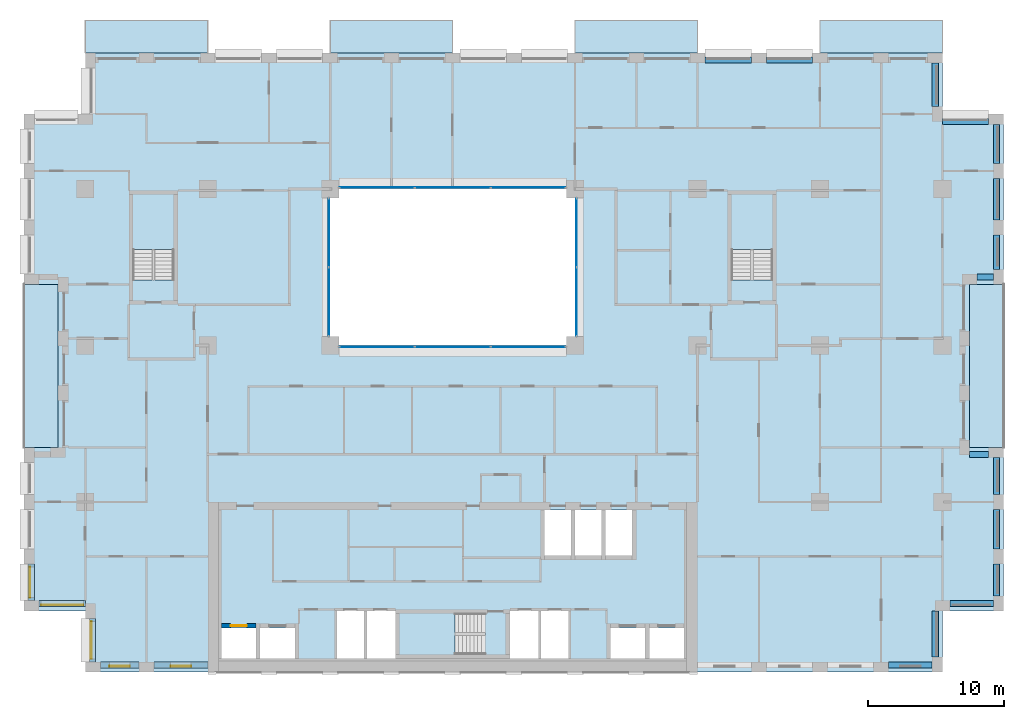
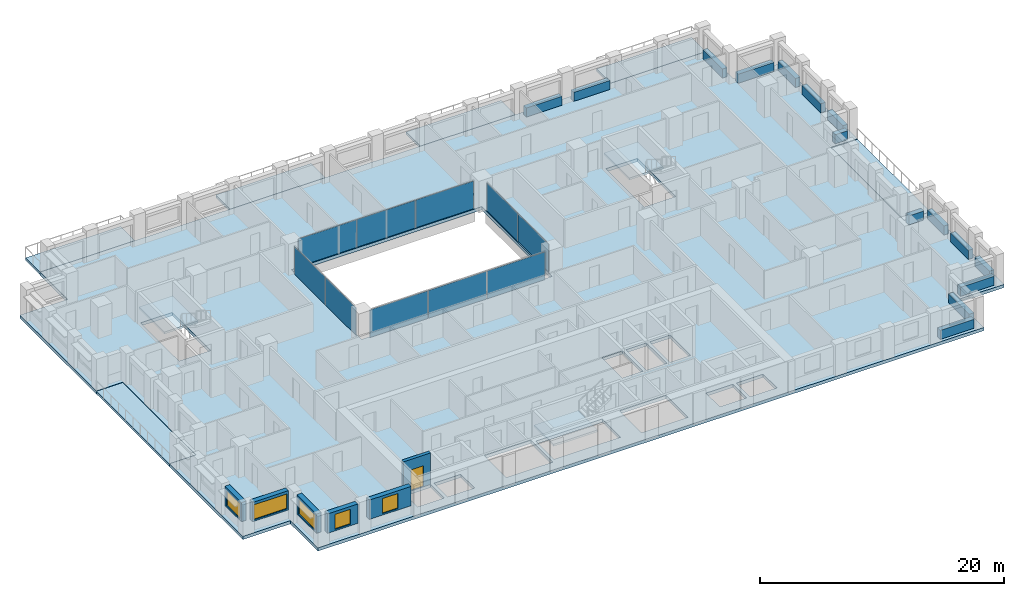
# One storey, part 7 of 16: 15 beams, 10 plates, 10 slabs, 6 walls, 5 windows, 1 door, 6 openings, 7 elements without a shape of their own.
"""IFC4 building model written with IfcOpenShell, lengths in metres."""

from ifc_helpers import new_model, si_unit, direction, frame, frame_2d, origin, origin_2d, place, context, subcontext, project, spatial, polyline, rectangle, outline, extrude, material, layer, layer_set, material_profile, profile_set, type_object, element, fill, aggregate, save


model = new_model("IFC4")

# Units and contexts
model_context = context("Model", 3, precision=1e-05, world=origin(), true_north=direction((0.0, 1.0)))
body_context = subcontext(model_context, "Body", "Model", "MODEL_VIEW")
ifc_project = project(units=[si_unit("LENGTHUNIT", "METRE"), si_unit("AREAUNIT", "SQUARE_METRE"), si_unit("VOLUMEUNIT", "CUBIC_METRE"), si_unit("PLANEANGLEUNIT", "RADIAN"), si_unit("MASSUNIT", "GRAM", prefix="KILO")], contexts=[model_context])

# Site, building, storey
site_placement = place(None, origin())
site = spatial("IfcSite", under=ifc_project, at=site_placement, CompositionType="ELEMENT")
building_placement = place(site_placement, origin())
building = spatial("IfcBuilding", under=site, at=building_placement, Name="Brigalow Station Residences", CompositionType="ELEMENT")
storey_placement = place(building_placement, frame((0.0, 0.0, 121.35009765625)))
storey = spatial("IfcBuildingStorey", under=building, at=storey_placement, Name="L35", CompositionType="ELEMENT", Elevation=121.35009765625)

# Beams
ifc_material_1 = material(Name="Concrete C65", Category="concrete")
ifc_material_profile = material_profile(ifc_material_1, rectangle(XDim=0.449951171875, YDim=0.89990234375, at=origin_2d()), Name="RC450x900")
ifc_profile_set = profile_set([ifc_material_profile], Name="Concrete C65")
beam_type = type_object("IfcBeamType", Name="SPANDREL BEAM 450x900 C65", PredefinedType="SPANDREL", material=ifc_profile_set)
beam_1_placement = place(storey_placement, frame((68.050048828125, 0.52490234375, 0.449951171875), z_axis=(1.0, 0.0, 0.0), x_axis=(0.0, 1.0, 0.0)))
element("IfcBeam", 1, at=beam_1_placement, inside=storey, type_object=beam_type, Name="L35/spandrel/W-L35-7", PredefinedType="SPANDREL", context=body_context, shape_type="SweptSolid", body=[
    extrude(rectangle(XDim=0.449951171875, YDim=0.89990234375, at=origin_2d()), origin(), (0.0, 0.0, 1.0), 3.199951171875),
])
beam_2_placement = place(storey_placement, frame((71.47509765625, 1.10009765625, 0.449951171875), z_axis=(0.0, 1.0, 0.0), x_axis=(-1.0, 0.0, 0.0)))
element("IfcBeam", 2, at=beam_2_placement, inside=storey, type_object=beam_type, Name="L35/spandrel/W-L35-8", PredefinedType="SPANDREL", context=body_context, shape_type="SweptSolid", body=[
    extrude(rectangle(XDim=0.449951171875, YDim=0.89990234375, at=origin_2d()), origin(), (0.0, 0.0, 1.0), 3.39990234375),
])
beam_3_placement = place(storey_placement, frame((72.550048828125, 5.02490234375, 0.449951171875), z_axis=(1.0, 0.0, 0.0), x_axis=(0.0, 1.0, 0.0)))
element("IfcBeam", 3, at=beam_3_placement, inside=storey, type_object=beam_type, Name="L35/spandrel/W-L35-9", PredefinedType="SPANDREL", context=body_context, shape_type="SweptSolid", body=[
    extrude(rectangle(XDim=0.449951171875, YDim=0.89990234375, at=origin_2d()), origin(), (0.0, 0.0, 1.0), 3.199951171875),
])
beam_4_placement = place(storey_placement, frame((75.97509765625, 5.60009765625, 0.449951171875), z_axis=(0.0, 1.0, 0.0), x_axis=(-1.0, 0.0, 0.0)))
element("IfcBeam", 4, at=beam_4_placement, inside=storey, type_object=beam_type, Name="L35/spandrel/W-L35-10", PredefinedType="SPANDREL", context=body_context, shape_type="SweptSolid", body=[
    extrude(rectangle(XDim=0.449951171875, YDim=0.89990234375, at=origin_2d()), origin(), (0.0, 0.0, 1.0), 2.349853515625),
])
beam_5_placement = place(storey_placement, frame((75.97509765625, 9.050048828125, 0.449951171875), z_axis=(0.0, 1.0, 0.0), x_axis=(-1.0, 0.0, 0.0)))
element("IfcBeam", 5, at=beam_5_placement, inside=storey, type_object=beam_type, Name="L35/spandrel/W-L35-11", PredefinedType="SPANDREL", context=body_context, shape_type="SweptSolid", body=[
    extrude(rectangle(XDim=0.449951171875, YDim=0.89990234375, at=origin_2d()), origin(), (0.0, 0.0, 1.0), 2.89990234375),
])
beam_6_placement = place(storey_placement, frame((75.97509765625, 13.050048828125, 0.449951171875), z_axis=(0.0, 1.0, 0.0), x_axis=(-1.0, 0.0, 0.0)))
element("IfcBeam", 6, at=beam_6_placement, inside=storey, type_object=beam_type, Name="L35/spandrel/W-L35-12", PredefinedType="SPANDREL", context=body_context, shape_type="SweptSolid", body=[
    extrude(rectangle(XDim=0.449951171875, YDim=0.89990234375, at=origin_2d()), origin(), (0.0, 0.0, 1.0), 2.699951171875),
])
beam_7_placement = place(storey_placement, frame((75.39990234375, 15.97509765625, 0.449951171875), z_axis=(-1.0, 0.0, 0.0), x_axis=(0.0, -1.0, 0.0)))
element("IfcBeam", 7, at=beam_7_placement, inside=storey, type_object=beam_type, Name="L35/spandrel/W-L35-13", PredefinedType="SPANDREL", context=body_context, shape_type="SweptSolid", body=[
    extrude(rectangle(XDim=0.449951171875, YDim=0.89990234375, at=origin_2d()), origin(), (0.0, 0.0, 1.0), 1.39990234375),
])
beam_8_placement = place(storey_placement, frame((74.550048828125, 29.02490234375, 0.449951171875), z_axis=(1.0, 0.0, 0.0), x_axis=(0.0, 1.0, 0.0)))
element("IfcBeam", 8, at=beam_8_placement, inside=storey, type_object=beam_type, Name="L35/spandrel/W-L35-17", PredefinedType="SPANDREL", context=body_context, shape_type="SweptSolid", body=[
    extrude(rectangle(XDim=0.449951171875, YDim=0.89990234375, at=origin_2d()), origin(), (0.0, 0.0, 1.0), 1.199951171875),
])
beam_9_placement = place(storey_placement, frame((75.97509765625, 29.60009765625, 0.449951171875), z_axis=(0.0, 1.0, 0.0), x_axis=(-1.0, 0.0, 0.0)))
element("IfcBeam", 9, at=beam_9_placement, inside=storey, type_object=beam_type, Name="L35/spandrel/W-L35-18", PredefinedType="SPANDREL", context=body_context, shape_type="SweptSolid", body=[
    extrude(rectangle(XDim=0.449951171875, YDim=0.89990234375, at=origin_2d()), origin(), (0.0, 0.0, 1.0), 2.516845703125),
])
beam_10_placement = place(storey_placement, frame((75.97509765625, 33.217041015625, 0.449951171875), z_axis=(0.0, 1.0, 0.0), x_axis=(-1.0, 0.0, 0.0)))
element("IfcBeam", 10, at=beam_10_placement, inside=storey, type_object=beam_type, Name="L35/spandrel/W-L35-19", PredefinedType="SPANDREL", context=body_context, shape_type="SweptSolid", body=[
    extrude(rectangle(XDim=0.449951171875, YDim=0.89990234375, at=origin_2d()), origin(), (0.0, 0.0, 1.0), 3.06591796875),
])
beam_11_placement = place(storey_placement, frame((75.97509765625, 37.383056640625, 0.449951171875), z_axis=(0.0, 1.0, 0.0), x_axis=(-1.0, 0.0, 0.0)))
element("IfcBeam", 11, at=beam_11_placement, inside=storey, type_object=beam_type, Name="L35/spandrel/W-L35-20", PredefinedType="SPANDREL", context=body_context, shape_type="SweptSolid", body=[
    extrude(rectangle(XDim=0.449951171875, YDim=0.89990234375, at=origin_2d()), origin(), (0.0, 0.0, 1.0), 2.866943359375),
])
beam_12_placement = place(storey_placement, frame((75.39990234375, 40.47509765625, 0.449951171875), z_axis=(-1.0, 0.0, 0.0), x_axis=(0.0, -1.0, 0.0)))
element("IfcBeam", 12, at=beam_12_placement, inside=storey, type_object=beam_type, Name="L35/spandrel/W-L35-21", PredefinedType="SPANDREL", context=body_context, shape_type="SweptSolid", body=[
    extrude(rectangle(XDim=0.449951171875, YDim=0.89990234375, at=origin_2d()), origin(), (0.0, 0.0, 1.0), 3.39990234375),
])
beam_13_placement = place(storey_placement, frame((71.47509765625, 41.550048828125, 0.449951171875), z_axis=(0.0, 1.0, 0.0), x_axis=(-1.0, 0.0, 0.0)))
element("IfcBeam", 13, at=beam_13_placement, inside=storey, type_object=beam_type, Name="L35/spandrel/W-L35-22", PredefinedType="SPANDREL", context=body_context, shape_type="SweptSolid", body=[
    extrude(rectangle(XDim=0.449951171875, YDim=0.89990234375, at=origin_2d()), origin(), (0.0, 0.0, 1.0), 3.199951171875),
])
for number, where, z_axis, x_axis, name in (
    (14, (62.449951171875, 44.97509765625, 0.449951171875), (-1.0, 0.0, 0.0), (0.0, -1.0, 0.0), "L35/spandrel/W-L35-25"),
    (15, (57.949951171875, 44.97509765625, 0.449951171875), (-1.0, 0.0, 0.0), (0.0, -1.0, 0.0), "L35/spandrel/W-L35-26"),
):
    element("IfcBeam", number, at=place(storey_placement, frame(where, z_axis=z_axis, x_axis=x_axis)), inside=storey, type_object=beam_type, Name=name, PredefinedType="SPANDREL", context=body_context, shape_type="SweptSolid", body=[
        extrude(rectangle(XDim=0.449951171875, YDim=0.89990234375, at=origin_2d()), origin(), (0.0, 0.0, 1.0), 3.39990234375),
    ])

# Curtain wall, plates
ifc_material_2 = material(Name="Aluminium", Category="aluminium")
ifc_layer_1 = layer(ifc_material_2, 0.14990234375)
ifc_layer_set_1 = layer_set([ifc_layer_1], Name="ATRIUM FIRE-RATED GLAZING CURTAIN WALL")
curtain_wall_type = type_object("IfcCurtainWallType", Name="ATRIUM FIRE-RATED GLAZING CURTAIN WALL", PredefinedType="NOTDEFINED", material=ifc_layer_set_1)
curtain_wall_1_placement = place(storey_placement, origin())
curtain_wall_1 = element("IfcCurtainWall", 16, at=curtain_wall_1_placement, inside=storey, type_object=curtain_wall_type, Name="L35/cw/atrium-S", PredefinedType="NOTDEFINED")
ifc_material_3 = material(Name="Fire-resisting laminated glazing, FRL -/60/-", Category="glass")
ifc_layer_2 = layer(ifc_material_3, 0.031982421875)
ifc_layer_set_2 = layer_set([ifc_layer_2], Name="ATRIUM FIRE-RATED GLAZING PANEL 32")
plate_type = type_object("IfcPlateType", Name="ATRIUM FIRE-RATED GLAZING PANEL 32", PredefinedType="CURTAIN_PANEL", material=ifc_layer_set_2)
plate_1_placement = place(storey_placement, frame((30.4482421875, 23.89990234375, 0.0), z_axis=(0.0, 0.0, 1.0), x_axis=(1.0, 0.0, 0.0)))
plate_1 = element("IfcPlate", 17, at=plate_1_placement, type_object=plate_type, Name="L35/cw/atrium-S/P00-00", PredefinedType="CURTAIN_PANEL", context=body_context, shape_type="SweptSolid", body=[
    extrude(rectangle(XDim=5.476806640625, YDim=0.031982421875, at=origin_2d()), origin(), (0.0, 0.0, 1.0), 2.77001953125),
])
plate_2_placement = place(storey_placement, frame((36.0, 23.89990234375, 0.0), z_axis=(0.0, 0.0, 1.0), x_axis=(1.0, 0.0, 0.0)))
plate_2 = element("IfcPlate", 18, at=plate_2_placement, type_object=plate_type, Name="L35/cw/atrium-S/P01-00", PredefinedType="CURTAIN_PANEL", context=body_context, shape_type="SweptSolid", body=[
    extrude(rectangle(XDim=5.506591796875, YDim=0.031982421875, at=origin_2d()), origin(), (0.0, 0.0, 1.0), 2.77001953125),
])
plate_3_placement = place(storey_placement, frame((41.5517578125, 23.89990234375, 0.0), z_axis=(0.0, 0.0, 1.0), x_axis=(1.0, 0.0, 0.0)))
plate_3 = element("IfcPlate", 19, at=plate_3_placement, type_object=plate_type, Name="L35/cw/atrium-S/P02-00", PredefinedType="CURTAIN_PANEL", context=body_context, shape_type="SweptSolid", body=[
    extrude(rectangle(XDim=5.476806640625, YDim=0.031982421875, at=origin_2d()), origin(), (0.0, 0.0, 1.0), 2.77001953125),
])
aggregate(curtain_wall_1, [plate_1, plate_2, plate_3])

curtain_wall_2_placement = place(storey_placement, origin())
curtain_wall_2 = element("IfcCurtainWall", 20, at=curtain_wall_2_placement, inside=storey, type_object=curtain_wall_type, Name="L35/cw/atrium-E", PredefinedType="NOTDEFINED")
plate_4_placement = place(storey_placement, frame((45.10009765625, 27.215087890625, 0.0), z_axis=(0.0, 0.0, 1.0), x_axis=(0.0, 1.0, 0.0)))
plate_4 = element("IfcPlate", 21, at=plate_4_placement, type_object=plate_type, Name="L35/cw/atrium-E/P00-00", PredefinedType="CURTAIN_PANEL", context=body_context, shape_type="SweptSolid", body=[
    extrude(rectangle(XDim=5.010009765625, YDim=0.031982421875, at=origin_2d()), origin(), (0.0, 0.0, 1.0), 2.77001953125),
])
plate_5_placement = place(storey_placement, frame((45.10009765625, 32.284912109375, 0.0), z_axis=(0.0, 0.0, 1.0), x_axis=(0.0, 1.0, 0.0)))
plate_5 = element("IfcPlate", 22, at=plate_5_placement, type_object=plate_type, Name="L35/cw/atrium-E/P01-00", PredefinedType="CURTAIN_PANEL", context=body_context, shape_type="SweptSolid", body=[
    extrude(rectangle(XDim=5.010009765625, YDim=0.031982421875, at=origin_2d()), origin(), (0.0, 0.0, 1.0), 2.77001953125),
])
aggregate(curtain_wall_2, [plate_4, plate_5])

curtain_wall_3_placement = place(storey_placement, origin())
curtain_wall_3 = element("IfcCurtainWall", 23, at=curtain_wall_3_placement, inside=storey, type_object=curtain_wall_type, Name="L35/cw/atrium-N", PredefinedType="NOTDEFINED")
plate_6_placement = place(storey_placement, frame((41.5517578125, 35.60009765625, 0.0), z_axis=(0.0, 0.0, 1.0), x_axis=(-1.0, 0.0, 0.0)))
plate_6 = element("IfcPlate", 24, at=plate_6_placement, type_object=plate_type, Name="L35/cw/atrium-N/P00-00", PredefinedType="CURTAIN_PANEL", context=body_context, shape_type="SweptSolid", body=[
    extrude(rectangle(XDim=5.476806640625, YDim=0.031982421875, at=origin_2d()), origin(), (0.0, 0.0, 1.0), 2.77001953125),
])
plate_7_placement = place(storey_placement, frame((36.0, 35.60009765625, 0.0), z_axis=(0.0, 0.0, 1.0), x_axis=(-1.0, 0.0, 0.0)))
plate_7 = element("IfcPlate", 25, at=plate_7_placement, type_object=plate_type, Name="L35/cw/atrium-N/P01-00", PredefinedType="CURTAIN_PANEL", context=body_context, shape_type="SweptSolid", body=[
    extrude(rectangle(XDim=5.506591796875, YDim=0.031982421875, at=origin_2d()), origin(), (0.0, 0.0, 1.0), 2.77001953125),
])
plate_8_placement = place(storey_placement, frame((30.4482421875, 35.60009765625, 0.0), z_axis=(0.0, 0.0, 1.0), x_axis=(-1.0, 0.0, 0.0)))
plate_8 = element("IfcPlate", 26, at=plate_8_placement, type_object=plate_type, Name="L35/cw/atrium-N/P02-00", PredefinedType="CURTAIN_PANEL", context=body_context, shape_type="SweptSolid", body=[
    extrude(rectangle(XDim=5.476806640625, YDim=0.031982421875, at=origin_2d()), origin(), (0.0, 0.0, 1.0), 2.77001953125),
])
aggregate(curtain_wall_3, [plate_6, plate_7, plate_8])

curtain_wall_4_placement = place(storey_placement, origin())
curtain_wall_4 = element("IfcCurtainWall", 27, at=curtain_wall_4_placement, inside=storey, type_object=curtain_wall_type, Name="L35/cw/atrium-W", PredefinedType="NOTDEFINED")
plate_9_placement = place(storey_placement, frame((26.89990234375, 32.284912109375, 0.0), z_axis=(0.0, 0.0, 1.0), x_axis=(0.0, -1.0, 0.0)))
plate_9 = element("IfcPlate", 28, at=plate_9_placement, type_object=plate_type, Name="L35/cw/atrium-W/P00-00", PredefinedType="CURTAIN_PANEL", context=body_context, shape_type="SweptSolid", body=[
    extrude(rectangle(XDim=5.010009765625, YDim=0.031982421875, at=origin_2d()), origin(), (0.0, 0.0, 1.0), 2.77001953125),
])
plate_10_placement = place(storey_placement, frame((26.89990234375, 27.215087890625, 0.0), z_axis=(0.0, 0.0, 1.0), x_axis=(0.0, -1.0, 0.0)))
plate_10 = element("IfcPlate", 29, at=plate_10_placement, type_object=plate_type, Name="L35/cw/atrium-W/P01-00", PredefinedType="CURTAIN_PANEL", context=body_context, shape_type="SweptSolid", body=[
    extrude(rectangle(XDim=5.010009765625, YDim=0.031982421875, at=origin_2d()), origin(), (0.0, 0.0, 1.0), 2.77001953125),
])
aggregate(curtain_wall_4, [plate_9, plate_10])

# Slabs
ifc_material_4 = material(Name="Concrete C50 precast", Category="concrete")
ifc_layer_3 = layer(ifc_material_4, 0.25)
ifc_layer_set_3 = layer_set([ifc_layer_3], Name="BALCONY SLAB 250")
slab_type_1 = type_object("IfcSlabType", Name="BALCONY SLAB 250", PredefinedType="USERDEFINED", material=ifc_layer_set_3)
slab_1_placement = place(storey_placement, frame((0.0, 0.0, -0.2900390625)))
element("IfcSlab", 30, at=slab_1_placement, inside=storey, type_object=slab_type_1, Name="L35/balcony/1", ObjectType="BALCONY", PredefinedType="USERDEFINED", context=body_context, shape_type="SweptSolid", body=[
    extrude(outline(polyline([(74.0, 16.5), (76.5, 16.5), (76.5, 28.5), (74.0, 28.5), (74.0, 16.5)])), origin(), (0.0, 0.0, 1.0), 0.25),
])
slab_2_placement = place(storey_placement, frame((0.0, 0.0, -0.2900390625)))
element("IfcSlab", 31, at=slab_2_placement, inside=storey, type_object=slab_type_1, Name="L35/balcony/2", ObjectType="BALCONY", PredefinedType="USERDEFINED", context=body_context, shape_type="SweptSolid", body=[
    extrude(outline(polyline([(72.0, 45.5), (72.0, 47.89990234375), (63.0, 47.89990234375), (63.0, 45.5), (72.0, 45.5)])), origin(), (0.0, 0.0, 1.0), 0.25),
])
slab_3_placement = place(storey_placement, frame((0.0, 0.0, -0.2900390625)))
element("IfcSlab", 32, at=slab_3_placement, inside=storey, type_object=slab_type_1, Name="L35/balcony/3", ObjectType="BALCONY", PredefinedType="USERDEFINED", context=body_context, shape_type="SweptSolid", body=[
    extrude(outline(polyline([(54.0, 45.5), (54.0, 47.89990234375), (45.0, 47.89990234375), (45.0, 45.5), (54.0, 45.5)])), origin(), (0.0, 0.0, 1.0), 0.25),
])
slab_4_placement = place(storey_placement, frame((0.0, 0.0, -0.2900390625)))
element("IfcSlab", 33, at=slab_4_placement, inside=storey, type_object=slab_type_1, Name="L35/balcony/4", ObjectType="BALCONY", PredefinedType="USERDEFINED", context=body_context, shape_type="SweptSolid", body=[
    extrude(outline(polyline([(36.0, 45.5), (36.0, 47.89990234375), (27.0, 47.89990234375), (27.0, 45.5), (36.0, 45.5)])), origin(), (0.0, 0.0, 1.0), 0.25),
])
slab_5_placement = place(storey_placement, frame((0.0, 0.0, -0.2900390625)))
element("IfcSlab", 34, at=slab_5_placement, inside=storey, type_object=slab_type_1, Name="L35/balcony/5", ObjectType="BALCONY", PredefinedType="USERDEFINED", context=body_context, shape_type="SweptSolid", body=[
    extrude(outline(polyline([(18.0, 45.5), (18.0, 47.89990234375), (9.0, 47.89990234375), (9.0, 45.5), (18.0, 45.5)])), origin(), (0.0, 0.0, 1.0), 0.25),
])
slab_6_placement = place(storey_placement, frame((0.0, 0.0, -0.2900390625)))
element("IfcSlab", 35, at=slab_6_placement, inside=storey, type_object=slab_type_1, Name="L35/balcony/6", ObjectType="BALCONY", PredefinedType="USERDEFINED", context=body_context, shape_type="SweptSolid", body=[
    extrude(outline(polyline([(7.0, 28.5), (4.5, 28.5), (4.5, 16.5), (7.0, 16.5), (7.0, 28.5)])), origin(), (0.0, 0.0, 1.0), 0.25),
])
ifc_material_5 = material(Name="Concrete C50", Category="concrete")
ifc_layer_4 = layer(ifc_material_5, 0.320068359375)
ifc_layer_set_4 = layer_set([ifc_layer_4], Name="POST-TENSIONED FLAT PLATE 320 C50")
slab_type_2 = type_object("IfcSlabType", Name="POST-TENSIONED FLAT PLATE 320 C50", PredefinedType="FLOOR", material=ifc_layer_set_4)
slab_7_placement = place(storey_placement, frame((0.0, 0.0, -0.320068359375)))
element("IfcSlab", 36, at=slab_7_placement, inside=storey, type_object=slab_type_2, Name="FLOOR SLAB L35", PredefinedType="FLOOR", context=body_context, shape_type="SweptSolid", body=[
    extrude(outline(polyline([(9.0, 0.0), (72.0, 0.0), (72.0, 4.5), (76.5, 4.5), (76.5, 16.5), (74.0, 16.5), (74.0, 28.5), (76.5, 28.5), (76.5, 41.0), (72.0, 41.0), (72.0, 45.5), (9.0, 45.5), (9.0, 41.0), (4.5, 41.0), (4.5, 28.5), (7.0, 28.5), (7.0, 16.5), (4.5, 16.5), (4.5, 4.5), (9.0, 4.5), (9.0, 0.0)]), holes=[polyline([(12.5048828125, 35.094970703125), (15.4951171875, 35.094970703125), (15.4951171875, 28.804931640625), (12.5048828125, 28.804931640625), (12.5048828125, 35.094970703125)]), polyline([(19.0, 1.0), (19.0, 3.25), (21.550048828125, 3.25), (21.550048828125, 1.0), (19.0, 1.0)]), polyline([(21.85009765625, 3.25), (24.39990234375, 3.25), (24.39990234375, 1.0), (21.85009765625, 1.0), (21.85009765625, 3.25)]), polyline([(27.0, 35.5), (45.0, 35.5), (45.0, 24.0), (27.0, 24.0), (27.0, 35.5)]), polyline([(29.60009765625, 4.60009765625), (31.800048828125, 4.60009765625), (31.800048828125, 1.0), (29.60009765625, 1.0), (27.39990234375, 1.0), (27.39990234375, 4.60009765625), (29.60009765625, 4.60009765625)]), polyline([(32.10498046875, 4.294921875), (38.39501953125, 4.294921875), (38.39501953125, 1.304931640625), (32.10498046875, 1.304931640625), (32.10498046875, 4.294921875)]), polyline([(40.199951171875, 4.60009765625), (42.39990234375, 4.60009765625), (44.60009765625, 4.60009765625), (44.60009765625, 1.0), (42.39990234375, 1.0), (40.199951171875, 1.0), (40.199951171875, 4.60009765625)]), polyline([(42.75, 11.89990234375), (44.699951171875, 11.89990234375), (44.699951171875, 8.550048828125), (42.75, 8.550048828125), (42.75, 11.89990234375)]), polyline([(45.0, 11.89990234375), (46.949951171875, 11.89990234375), (46.949951171875, 8.550048828125), (45.0, 8.550048828125), (45.0, 11.89990234375)]), polyline([(47.25, 11.89990234375), (49.199951171875, 11.89990234375), (49.199951171875, 8.550048828125), (47.25, 8.550048828125), (47.25, 11.89990234375)]), polyline([(47.60009765625, 3.25), (50.14990234375, 3.25), (50.14990234375, 1.0), (47.60009765625, 1.0), (47.60009765625, 3.25)]), polyline([(50.449951171875, 3.25), (53.0, 3.25), (53.0, 1.0), (50.449951171875, 1.0), (50.449951171875, 3.25)]), polyline([(56.5048828125, 35.094970703125), (59.4951171875, 35.094970703125), (59.4951171875, 28.804931640625), (56.5048828125, 28.804931640625), (56.5048828125, 35.094970703125)])]), origin(), (0.0, 0.0, 1.0), 0.320068359375),
])

# Stair, slab
ifc_material_6 = material(Name="Concrete C50", Category="concrete")
stair_type = type_object("IfcStairType", Name="EXIT STAIR 1400 2 FLIGHT", PredefinedType="HALF_TURN_STAIR", material=ifc_material_6)
stair_1_placement = place(storey_placement, origin())
stair_1 = element("IfcStair", 37, at=stair_1_placement, inside=storey, type_object=stair_type, Name="EXIT STAIR S2 L35", PredefinedType="HALF_TURN_STAIR")
ifc_material_7 = material(Name="Concrete C50", Category="concrete")
ifc_layer_5 = layer(ifc_material_7, 0.199951171875)
ifc_layer_set_5 = layer_set([ifc_layer_5], Name="STAIR LANDING 200")
slab_type_3 = type_object("IfcSlabType", Name="STAIR LANDING 200", PredefinedType="LANDING", material=ifc_layer_set_5)
slab_8_placement = place(storey_placement, frame((0.0, 0.0, 1.375)))
slab_8 = element("IfcSlab", 38, at=slab_8_placement, type_object=slab_type_3, Name="ST-2 landing 1", PredefinedType="LANDING", context=body_context, shape_type="SweptSolid", body=[
    extrude(outline(polyline([(32.0, 1.199951171875), (36.159912109375, 1.199951171875), (36.159912109375, 4.39990234375), (32.0, 4.39990234375), (32.0, 1.199951171875)])), origin(), (0.0, 0.0, 1.0), 0.199951171875),
])
aggregate(stair_1, [slab_8])

stair_2_placement = place(storey_placement, origin())
stair_2 = element("IfcStair", 39, at=stair_2_placement, inside=storey, type_object=stair_type, Name="EXIT STAIR S1 L35", PredefinedType="HALF_TURN_STAIR")
slab_9_placement = place(storey_placement, frame((0.0, 0.0, 1.375)))
slab_9 = element("IfcSlab", 40, at=slab_9_placement, type_object=slab_type_3, Name="ST-1 landing 1", PredefinedType="LANDING", context=body_context, shape_type="SweptSolid", body=[
    extrude(outline(polyline([(12.39990234375, 31.0400390625), (15.60009765625, 31.0400390625), (15.60009765625, 35.199951171875), (12.39990234375, 35.199951171875), (12.39990234375, 31.0400390625)])), origin(), (0.0, 0.0, 1.0), 0.199951171875),
])
aggregate(stair_2, [slab_9])

stair_3_placement = place(storey_placement, origin())
stair_3 = element("IfcStair", 41, at=stair_3_placement, inside=storey, type_object=stair_type, Name="EXIT STAIR S3 L35", PredefinedType="HALF_TURN_STAIR")
slab_10_placement = place(storey_placement, frame((0.0, 0.0, 1.375)))
slab_10 = element("IfcSlab", 42, at=slab_10_placement, type_object=slab_type_3, Name="ST-3 landing 1", PredefinedType="LANDING", context=body_context, shape_type="SweptSolid", body=[
    extrude(outline(polyline([(56.39990234375, 31.0400390625), (59.60009765625, 31.0400390625), (59.60009765625, 35.199951171875), (56.39990234375, 35.199951171875), (56.39990234375, 31.0400390625)])), origin(), (0.0, 0.0, 1.0), 0.199951171875),
])
aggregate(stair_3, [slab_10])

# Wall, opening, window
ifc_material_8 = material(Name="Clay brick masonry", Category="masonry")
ifc_layer_6 = layer(ifc_material_8, 0.449951171875)
ifc_layer_set_6 = layer_set([ifc_layer_6], Name="BRICK INFILL WALL 450")
wall_type_1 = type_object("IfcWallType", Name="BRICK INFILL WALL 450", PredefinedType="SOLIDWALL", material=ifc_layer_set_6)
wall_1_placement = place(storey_placement, frame((10.10009765625, 0.52490234375, 0.89990234375), z_axis=(0.0, 0.0, 1.0), x_axis=(1.0, 0.0, 0.0)))
wall_1 = element("IfcWall", 43, at=wall_1_placement, inside=storey, type_object=wall_type_1, Name="L35/ewall/W-L35-1", PredefinedType="SOLIDWALL", context=body_context, shape_type="SweptSolid", body=[
    extrude(rectangle(XDim=2.849853515625, YDim=0.449951171875, at=frame_2d((1.4248046875, 0.0))), origin(), (0.0, 0.0, 1.0), 1.929931640625),
])
opening_1_placement = place(wall_1_placement, frame((0.675048828125, 0.0, 0.14990234375)))
opening_1 = element("IfcOpeningElement", 44, at=opening_1_placement, cuts=wall_1, Name="Opening WT-1", PredefinedType="OPENING", context=body_context, shape_type="SweptSolid", body=[
    extrude(rectangle(XDim=1.5, YDim=1.5, at=frame_2d((0.75, 0.75))), frame((0.0, 0.23486328125, 0.0), z_axis=(0.0, -1.0, 0.0), x_axis=(1.0, 0.0, 0.0)), (0.0, 0.0, 1.0), 0.469970703125),
])
ifc_material_9 = material(Name="Anodised aluminium frame with double glazing", Category="aluminium")
window_type_1 = type_object("IfcWindowType", Name="WINDOW 1500x1500", PartitioningType="SINGLE_PANEL", PredefinedType="WINDOW", material=ifc_material_9)
window_1_placement = place(opening_1_placement, origin())
window_1 = element("IfcWindow", 45, at=window_1_placement, inside=storey, type_object=window_type_1, Name="L35/window/W-L35-1", OverallHeight=1.5, OverallWidth=1.5, PartitioningType="SINGLE_PANEL", PredefinedType="WINDOW", context=body_context, shape_type="SweptSolid", body=[
    extrude(rectangle(XDim=1.5, YDim=1.5, at=frame_2d((0.75, 0.75))), frame((0.0, -0.06494140625, 0.0), z_axis=(0.0, -1.0, 0.0), x_axis=(1.0, 0.0, 0.0)), (0.0, 0.0, 1.0), 0.06005859375),
])
fill(opening_1, window_1)

wall_2_placement = place(storey_placement, frame((14.050048828125, 0.52490234375, 0.89990234375), z_axis=(0.0, 0.0, 1.0), x_axis=(1.0, 0.0, 0.0)))
wall_2 = element("IfcWall", 46, at=wall_2_placement, inside=storey, type_object=wall_type_1, Name="L35/ewall/W-L35-2", PredefinedType="SOLIDWALL", context=body_context, shape_type="SweptSolid", body=[
    extrude(rectangle(XDim=3.949951171875, YDim=0.449951171875, at=frame_2d((1.97509765625, 0.0))), origin(), (0.0, 0.0, 1.0), 1.929931640625),
])
opening_2_placement = place(wall_2_placement, frame((1.22509765625, 0.0, 0.14990234375)))
opening_2 = element("IfcOpeningElement", 47, at=opening_2_placement, cuts=wall_2, Name="Opening WT-1", PredefinedType="OPENING", context=body_context, shape_type="SweptSolid", body=[
    extrude(rectangle(XDim=1.5, YDim=1.5, at=frame_2d((0.75, 0.75))), frame((0.0, 0.23486328125, 0.0), z_axis=(0.0, -1.0, 0.0), x_axis=(1.0, 0.0, 0.0)), (0.0, 0.0, 1.0), 0.469970703125),
])
window_2_placement = place(opening_2_placement, origin())
window_2 = element("IfcWindow", 48, at=window_2_placement, inside=storey, type_object=window_type_1, Name="L35/window/W-L35-2", OverallHeight=1.5, OverallWidth=1.5, PartitioningType="SINGLE_PANEL", PredefinedType="WINDOW", context=body_context, shape_type="SweptSolid", body=[
    extrude(rectangle(XDim=1.5, YDim=1.5, at=frame_2d((0.75, 0.75))), frame((0.0, -0.06494140625, 0.0), z_axis=(0.0, -1.0, 0.0), x_axis=(1.0, 0.0, 0.0)), (0.0, 0.0, 1.0), 0.06005859375),
])
fill(opening_2, window_2)

wall_3_placement = place(storey_placement, frame((5.02490234375, 7.949951171875, 0.89990234375), z_axis=(0.0, 0.0, 1.0), x_axis=(0.0, -1.0, 0.0)))
wall_3 = element("IfcWall", 49, at=wall_3_placement, inside=storey, type_object=wall_type_1, Name="L35/ewall/W-L35-49", PredefinedType="SOLIDWALL", context=body_context, shape_type="SweptSolid", body=[
    extrude(rectangle(XDim=2.699951171875, YDim=0.449951171875, at=frame_2d((1.35009765625, 0.0))), origin(), (0.0, 0.0, 1.0), 1.929931640625),
])
opening_3_placement = place(wall_3_placement, frame((0.22509765625, 0.0, 0.14990234375)))
opening_3 = element("IfcOpeningElement", 50, at=opening_3_placement, cuts=wall_3, Name="Opening WT-6", PredefinedType="OPENING", context=body_context, shape_type="SweptSolid", body=[
    extrude(rectangle(XDim=2.25, YDim=1.5, at=frame_2d((1.125, 0.75))), frame((0.0, 0.23486328125, 0.0), z_axis=(0.0, -1.0, 0.0), x_axis=(1.0, 0.0, 0.0)), (0.0, 0.0, 1.0), 0.469970703125),
])
ifc_material_10 = material(Name="Anodised aluminium frame with double glazing", Category="aluminium")
window_type_2 = type_object("IfcWindowType", Name="WINDOW 2250x1500", PartitioningType="SINGLE_PANEL", PredefinedType="WINDOW", material=ifc_material_10)
window_3_placement = place(opening_3_placement, origin())
window_3 = element("IfcWindow", 51, at=window_3_placement, inside=storey, type_object=window_type_2, Name="L35/window/W-L35-49", OverallHeight=1.5, OverallWidth=2.25, PartitioningType="SINGLE_PANEL", PredefinedType="WINDOW", context=body_context, shape_type="SweptSolid", body=[
    extrude(rectangle(XDim=2.25, YDim=1.5, at=frame_2d((1.125, 0.75))), frame((0.0, -0.06494140625, 0.0), z_axis=(0.0, -1.0, 0.0), x_axis=(1.0, 0.0, 0.0)), (0.0, 0.0, 1.0), 0.06005859375),
])
fill(opening_3, window_3)

wall_4_placement = place(storey_placement, frame((5.60009765625, 5.02490234375, 0.89990234375), z_axis=(0.0, 0.0, 1.0), x_axis=(1.0, 0.0, 0.0)))
wall_4 = element("IfcWall", 52, at=wall_4_placement, inside=storey, type_object=wall_type_1, Name="L35/ewall/W-L35-50", PredefinedType="SOLIDWALL", context=body_context, shape_type="SweptSolid", body=[
    extrude(rectangle(XDim=3.39990234375, YDim=0.449951171875, at=frame_2d((1.699951171875, 0.0))), origin(), (0.0, 0.0, 1.0), 1.929931640625),
])
opening_4_placement = place(wall_4_placement, frame((0.14990234375, 0.0, 0.14990234375)))
opening_4 = element("IfcOpeningElement", 53, at=opening_4_placement, cuts=wall_4, Name="Opening WT-8", PredefinedType="OPENING", context=body_context, shape_type="SweptSolid", body=[
    extrude(rectangle(XDim=3.10009765625, YDim=1.5, at=frame_2d((1.550048828125, 0.75))), frame((0.0, 0.23486328125, 0.0), z_axis=(0.0, -1.0, 0.0), x_axis=(1.0, 0.0, 0.0)), (0.0, 0.0, 1.0), 0.469970703125),
])
ifc_material_11 = material(Name="Anodised aluminium frame with double glazing", Category="aluminium")
window_type_3 = type_object("IfcWindowType", Name="WINDOW 3100x1500", PartitioningType="SINGLE_PANEL", PredefinedType="WINDOW", material=ifc_material_11)
window_4_placement = place(opening_4_placement, origin())
window_4 = element("IfcWindow", 54, at=window_4_placement, inside=storey, type_object=window_type_3, Name="L35/window/W-L35-50", OverallHeight=1.5, OverallWidth=3.10009765625, PartitioningType="SINGLE_PANEL", PredefinedType="WINDOW", context=body_context, shape_type="SweptSolid", body=[
    extrude(rectangle(XDim=3.10009765625, YDim=1.5, at=frame_2d((1.550048828125, 0.75))), frame((0.0, -0.06494140625, 0.0), z_axis=(0.0, -1.0, 0.0), x_axis=(1.0, 0.0, 0.0)), (0.0, 0.0, 1.0), 0.06005859375),
])
fill(opening_4, window_4)

wall_5_placement = place(storey_placement, frame((9.52490234375, 3.949951171875, 0.89990234375), z_axis=(0.0, 0.0, 1.0), x_axis=(0.0, -1.0, 0.0)))
wall_5 = element("IfcWall", 55, at=wall_5_placement, inside=storey, type_object=wall_type_1, Name="L35/ewall/W-L35-51", PredefinedType="SOLIDWALL", context=body_context, shape_type="SweptSolid", body=[
    extrude(rectangle(XDim=3.199951171875, YDim=0.449951171875, at=frame_2d((1.60009765625, 0.0))), origin(), (0.0, 0.0, 1.0), 1.929931640625),
])
opening_5_placement = place(wall_5_placement, frame((0.22509765625, 0.0, 0.14990234375)))
opening_5 = element("IfcOpeningElement", 56, at=opening_5_placement, cuts=wall_5, Name="Opening WT-3", PredefinedType="OPENING", context=body_context, shape_type="SweptSolid", body=[
    extrude(rectangle(XDim=2.75, YDim=1.5, at=frame_2d((1.375, 0.75))), frame((0.0, 0.23486328125, 0.0), z_axis=(0.0, -1.0, 0.0), x_axis=(1.0, 0.0, 0.0)), (0.0, 0.0, 1.0), 0.469970703125),
])
ifc_material_12 = material(Name="Anodised aluminium frame with double glazing", Category="aluminium")
window_type_4 = type_object("IfcWindowType", Name="WINDOW 2750x1500", PartitioningType="SINGLE_PANEL", PredefinedType="WINDOW", material=ifc_material_12)
window_5_placement = place(opening_5_placement, origin())
window_5 = element("IfcWindow", 57, at=window_5_placement, inside=storey, type_object=window_type_4, Name="L35/window/W-L35-51", OverallHeight=1.5, OverallWidth=2.75, PartitioningType="SINGLE_PANEL", PredefinedType="WINDOW", context=body_context, shape_type="SweptSolid", body=[
    extrude(rectangle(XDim=2.75, YDim=1.5, at=frame_2d((1.375, 0.75))), frame((0.0, -0.06494140625, 0.0), z_axis=(0.0, -1.0, 0.0), x_axis=(1.0, 0.0, 0.0)), (0.0, 0.0, 1.0), 0.06005859375),
])
fill(opening_5, window_5)

# Wall, opening, door
ifc_material_13 = material(Name="Concrete C65", Category="concrete")
ifc_layer_7 = layer(ifc_material_13, 0.300048828125)
ifc_layer_set_7 = layer_set([ifc_layer_7], Name="CORE SHEAR WALL 300 C65")
wall_type_2 = type_object("IfcWallType", Name="CORE SHEAR WALL 300 C65", PredefinedType="SHEAR", material=ifc_layer_set_7)
wall_6_placement = place(storey_placement, frame((19.0, 3.39990234375, 0.0), z_axis=(0.0, 0.0, 1.0), x_axis=(1.0, 0.0, 0.0)))
wall_6 = element("IfcWall", 58, at=wall_6_placement, inside=storey, type_object=wall_type_2, Name="CORE WALL SH-C1-N L35", PredefinedType="SHEAR", context=body_context, shape_type="SweptSolid", body=[
    extrude(rectangle(XDim=2.550048828125, YDim=0.300048828125, at=frame_2d((1.27490234375, 0.0))), origin(), (0.0, 0.0, 1.0), 3.14990234375),
])
opening_6_placement = place(wall_6_placement, frame((0.675048828125, 0.0, 0.0)))
opening_6 = element("IfcOpeningElement", 59, at=opening_6_placement, cuts=wall_6, Name="Opening LD-LB1", PredefinedType="OPENING", context=body_context, shape_type="SweptSolid", body=[
    extrude(rectangle(XDim=1.199951171875, YDim=2.10009765625, at=frame_2d((0.60009765625, 1.050048828125))), frame((0.0, 0.16015625, 0.0), z_axis=(0.0, -1.0, 0.0), x_axis=(1.0, 0.0, 0.0)), (0.0, 0.0, 1.0), 0.320068359375),
])
ifc_material_14 = material(Name="Stainless steel sliding door leaves", Category="steel")
door_type = type_object("IfcDoorType", Name="LIFT LANDING DOOR 1200 x 2100", OperationType="DOUBLE_DOOR_SLIDING", PredefinedType="DOOR", material=ifc_material_14)
door_placement = place(opening_6_placement, origin())
door = element("IfcDoor", 60, at=door_placement, inside=storey, type_object=door_type, Name="LANDING DOOR LB1", OperationType="DOUBLE_DOOR_SLIDING", OverallHeight=2.10009765625, OverallWidth=1.199951171875, PredefinedType="DOOR", context=body_context, shape_type="SweptSolid", body=[
    extrude(rectangle(XDim=1.199951171875, YDim=2.10009765625, at=frame_2d((0.60009765625, 1.050048828125))), frame((0.0, 0.02490234375, 0.0), z_axis=(0.0, -1.0, 0.0), x_axis=(1.0, 0.0, 0.0)), (0.0, 0.0, 1.0), 0.050048828125),
])
fill(opening_6, door)

save(model, "model.ifc")
